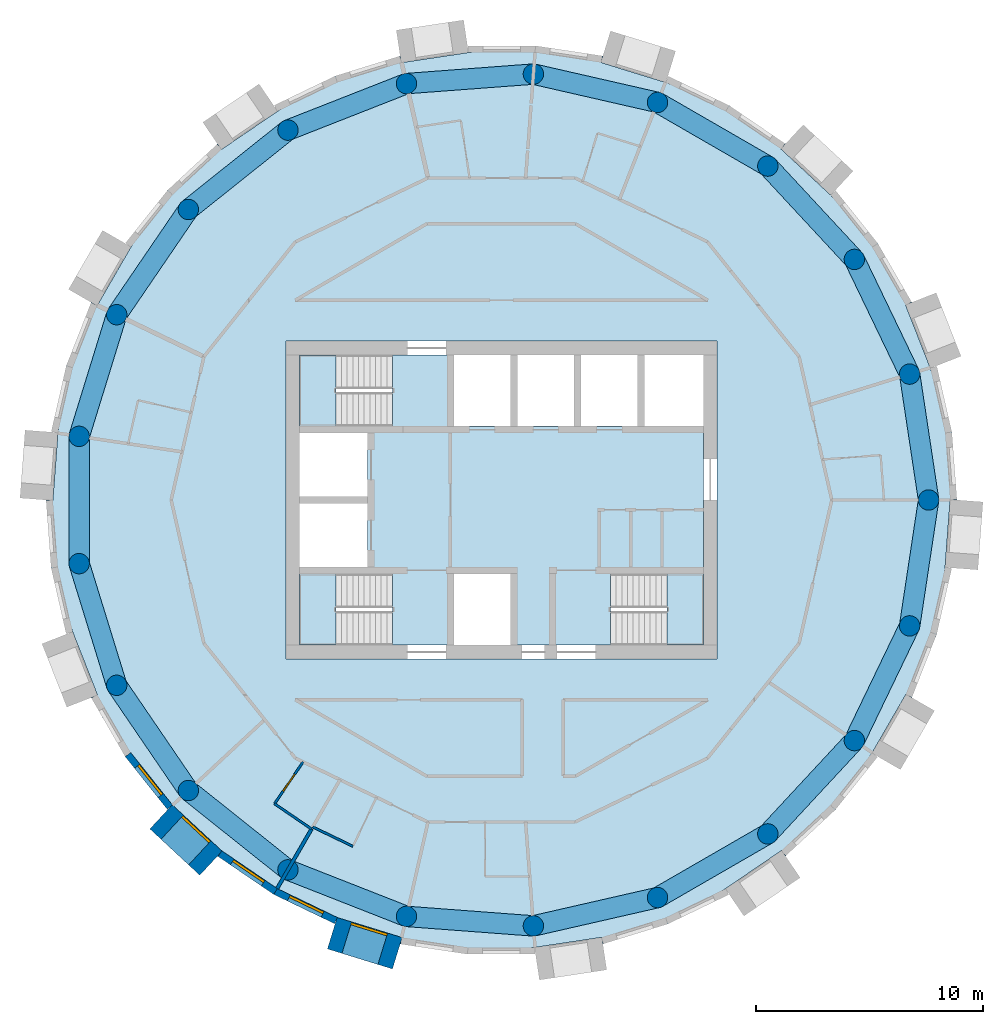
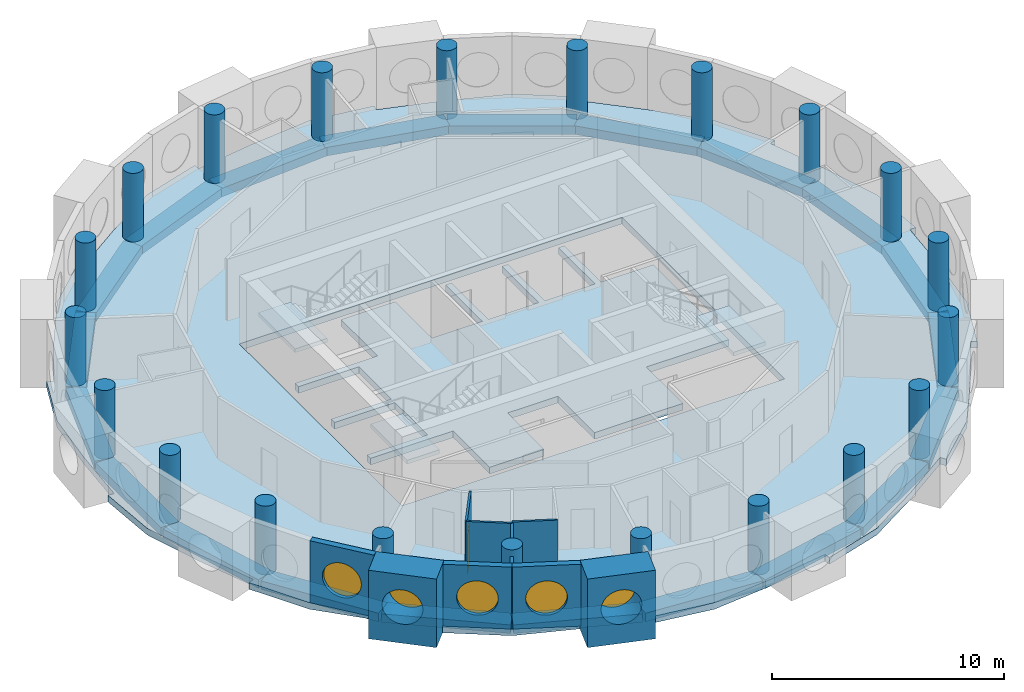
# One storey, part 1 of 13: 21 beams, 21 columns, 9 walls, 5 slabs, 5 windows, 1 door, 6 openings, 3 elements without a shape of their own.
"""IFC4 building model written with IfcOpenShell, lengths in metres."""

from ifc_helpers import new_model, si_unit, direction, frame, frame_2d, origin, origin_2d, place, context, subcontext, project, spatial, polyline, rectangle, circle, outline, extrude, material, layer, layer_set, material_profile, profile_set, type_object, element, fill, aggregate, save


model = new_model("IFC4")

# Units and contexts
model_context = context("Model", 3, precision=1e-05, world=origin(), true_north=direction((0.0, 1.0)))
body_context = subcontext(model_context, "Body", "Model", "MODEL_VIEW")
ifc_project = project(units=[si_unit("LENGTHUNIT", "METRE"), si_unit("AREAUNIT", "SQUARE_METRE"), si_unit("VOLUMEUNIT", "CUBIC_METRE"), si_unit("PLANEANGLEUNIT", "RADIAN"), si_unit("MASSUNIT", "GRAM", prefix="KILO")], contexts=[model_context])

# Site, building, storey
site_placement = place(None, origin())
site = spatial("IfcSite", under=ifc_project, at=site_placement, CompositionType="ELEMENT")
building_placement = place(site_placement, origin())
building = spatial("IfcBuilding", under=site, at=building_placement, Name="Tracery Tower", CompositionType="ELEMENT")
storey_placement = place(building_placement, frame((0.0, 0.0, 298.199951171875)))
storey = spatial("IfcBuildingStorey", under=building, at=storey_placement, Name="L77", CompositionType="ELEMENT", Elevation=298.199951171875)

# Columns
ifc_material_1 = material(Name="Concrete C40/50", Category="concrete")
ifc_material_profile_1 = material_profile(ifc_material_1, circle(Radius=0.449951171875, at=origin_2d()), Name="RC D900")
ifc_profile_set_1 = profile_set([ifc_material_profile_1], Name="Concrete C40/50")
column_type = type_object("IfcColumnType", Name="Ring 2 column 900", PredefinedType="COLUMN", material=ifc_profile_set_1)
for number, where, z_axis, x_axis, name in (
    (1, (18.822265625, 0.0, 0.0), (0.0, 0.0, 1.0), (1.0, 0.0, 0.0), "Ring 2 column 00 at L77"),
    (2, (17.986083984375, 5.5478515625, 0.0), (0.0, 0.0, 1.0), (1.0, 0.0, 0.0), "Ring 2 column 01 at L77"),
    (3, (15.551513671875, 10.602783203125, 0.0), (0.0, 0.0, 1.0), (1.0, 0.0, 0.0), "Ring 2 column 02 at L77"),
    (4, (11.7353515625, 14.7158203125, 0.0), (0.0, 0.0, 1.0), (1.0, 0.0, 0.0), "Ring 2 column 03 at L77"),
    (5, (6.87646484375, 17.52099609375, 0.0), (0.0, 0.0, 1.0), (1.0, 0.0, 0.0), "Ring 2 column 04 at L77"),
    (6, (1.406494140625, 18.76953125, 0.0), (0.0, 0.0, 1.0), (1.0, 0.0, 0.0), "Ring 2 column 05 at L77"),
    (7, (-4.188232421875, 18.350341796875, 0.0), (0.0, 0.0, 1.0), (1.0, 0.0, 0.0), "Ring 2 column 06 at L77"),
    (8, (-9.4111328125, 16.300537109375, 0.0), (0.0, 0.0, 1.0), (1.0, 0.0, 0.0), "Ring 2 column 07 at L77"),
    (9, (-13.797607421875, 12.802490234375, 0.0), (0.0, 0.0, 1.0), (1.0, 0.0, 0.0), "Ring 2 column 08 at L77"),
    (10, (-16.958251953125, 8.16650390625, 0.0), (0.0, 0.0, 1.0), (1.0, 0.0, 0.0), "Ring 2 column 09 at L77"),
    (11, (-18.612060546875, 2.805419921875, 0.0), (0.0, 0.0, 1.0), (1.0, 0.0, 0.0), "Ring 2 column 10 at L77"),
    (12, (-18.612060546875, -2.805419921875, 0.0), (0.0, 0.0, 1.0), (1.0, 0.0, 0.0), "Ring 2 column 11 at L77"),
    (13, (-16.958251953125, -8.166748046875, 0.0), (0.0, 0.0, 1.0), (1.0, 0.0, 0.0), "Ring 2 column 12 at L77"),
    (14, (-13.797607421875, -12.80224609375, 0.0), (0.0, 0.0, 1.0), (1.0, 0.0, 0.0), "Ring 2 column 13 at L77"),
    (15, (-9.4111328125, -16.300537109375, 0.0), (0.0, 0.0, 1.0), (1.0, 0.0, 0.0), "Ring 2 column 14 at L77"),
    (16, (-4.188232421875, -18.350341796875, 0.0), (0.0, 0.0, 1.0), (1.0, 0.0, 0.0), "Ring 2 column 15 at L77"),
    (17, (1.406494140625, -18.76953125, 0.0), (0.0, 0.0, 1.0), (1.0, 0.0, 0.0), "Ring 2 column 16 at L77"),
    (18, (6.87646484375, -17.52099609375, 0.0), (0.0, 0.0, 1.0), (1.0, 0.0, 0.0), "Ring 2 column 17 at L77"),
    (19, (11.7353515625, -14.7158203125, 0.0), (0.0, 0.0, 1.0), (1.0, 0.0, 0.0), "Ring 2 column 18 at L77"),
    (20, (15.551513671875, -10.602783203125, 0.0), (0.0, 0.0, 1.0), (1.0, 0.0, 0.0), "Ring 2 column 19 at L77"),
    (21, (17.986083984375, -5.5478515625, 0.0), (0.0, 0.0, 1.0), (1.0, 0.0, 0.0), "Ring 2 column 20 at L77"),
):
    element("IfcColumn", number, at=place(storey_placement, frame(where, z_axis=z_axis, x_axis=x_axis)), inside=storey, type_object=column_type, Name=name, PredefinedType="COLUMN", context=body_context, shape_type="SweptSolid", body=[
        extrude(circle(Radius=0.449951171875, at=origin_2d()), origin(), (0.0, 0.0, 1.0), 3.60009765625),
    ])

# Beams
ifc_material_2 = material(Name="Concrete C40/50", Category="concrete")
ifc_material_profile_2 = material_profile(ifc_material_2, rectangle(XDim=0.89990234375, YDim=0.449951171875, at=origin_2d()), Name="RC 900x450")
ifc_profile_set_2 = profile_set([ifc_material_profile_2], Name="Concrete C40/50")
beam_type = type_object("IfcBeamType", Name="Perimeter band beam 900x450", PredefinedType="BEAM", material=ifc_profile_set_2)
for number, where, z_axis, x_axis, name in (
    (22, (18.822265625, 0.0, -0.574951171875), (-0.149038355855, 0.988831415603, 0.0), (-0.988831415603, -0.149038355855, 0.0), "Perimeter beam 2.00 under L77"),
    (23, (17.986083984375, 5.5478515625, -0.574951171875), (-0.433918973155, 0.900951899235, 0.0), (-0.900951899235, -0.433918973155, 0.0), "Perimeter beam 2.01 under L77"),
):
    element("IfcBeam", number, at=place(storey_placement, frame(where, z_axis=z_axis, x_axis=x_axis)), inside=storey, type_object=beam_type, Name=name, PredefinedType="BEAM", context=body_context, shape_type="SweptSolid", body=[
        extrude(rectangle(XDim=0.89990234375, YDim=0.449951171875, at=origin_2d()), origin(), (0.0, 0.0, 1.0), 5.610595703125),
    ])
beam_1_placement = place(storey_placement, frame((15.551513671875, 10.602783203125, -0.574951171875), z_axis=(-0.680155630824, 0.733067744386, 0.0), x_axis=(-0.733067744386, -0.680155630824, 0.0)))
element("IfcBeam", 24, at=beam_1_placement, inside=storey, type_object=beam_type, Name="Perimeter beam 2.02 under L77", PredefinedType="BEAM", context=body_context, shape_type="SweptSolid", body=[
    extrude(rectangle(XDim=0.89990234375, YDim=0.449951171875, at=origin_2d()), origin(), (0.0, 0.0, 1.0), 5.61083984375),
])
for number, where, z_axis, x_axis, name in (
    (25, (11.7353515625, 14.7158203125, -0.574951171875), (-0.866033412818, 0.49998612769, 0.0), (-0.49998612769, -0.866033412818, 0.0), "Perimeter beam 2.03 under L77"),
    (26, (6.87646484375, 17.52099609375, -0.574951171875), (-0.974925977366, 0.222529410768, 0.0), (-0.222529410768, -0.974925977366, 0.0), "Perimeter beam 2.04 under L77"),
):
    element("IfcBeam", number, at=place(storey_placement, frame(where, z_axis=z_axis, x_axis=x_axis)), inside=storey, type_object=beam_type, Name=name, PredefinedType="BEAM", context=body_context, shape_type="SweptSolid", body=[
        extrude(rectangle(XDim=0.89990234375, YDim=0.449951171875, at=origin_2d()), origin(), (0.0, 0.0, 1.0), 5.610595703125),
    ])
beam_2_placement = place(storey_placement, frame((1.406494140625, 18.76953125, -0.574951171875), z_axis=(-0.997204824387, -0.07471638521, 0.0), x_axis=(0.07471638521, -0.997204824387, 0.0)))
element("IfcBeam", 27, at=beam_2_placement, inside=storey, type_object=beam_type, Name="Perimeter beam 2.05 under L77", PredefinedType="BEAM", context=body_context, shape_type="SweptSolid", body=[
    extrude(rectangle(XDim=0.89990234375, YDim=0.449951171875, at=origin_2d()), origin(), (0.0, 0.0, 1.0), 5.6103515625),
])
beam_3_placement = place(storey_placement, frame((-4.188232421875, 18.350341796875, -0.574951171875), z_axis=(-0.930875728468, -0.365335979817, 0.0), x_axis=(0.365335979817, -0.930875728468, 0.0)))
element("IfcBeam", 28, at=beam_3_placement, inside=storey, type_object=beam_type, Name="Perimeter beam 2.06 under L77", PredefinedType="BEAM", context=body_context, shape_type="SweptSolid", body=[
    extrude(rectangle(XDim=0.89990234375, YDim=0.449951171875, at=origin_2d()), origin(), (0.0, 0.0, 1.0), 5.61083984375),
])
beam_4_placement = place(storey_placement, frame((-9.4111328125, 16.300537109375, -0.574951171875), z_axis=(-0.781835817725, -0.623484365579, 0.0), x_axis=(0.623484365579, -0.781835817725, 0.0)))
element("IfcBeam", 29, at=beam_4_placement, inside=storey, type_object=beam_type, Name="Perimeter beam 2.07 under L77", PredefinedType="BEAM", context=body_context, shape_type="SweptSolid", body=[
    extrude(rectangle(XDim=0.89990234375, YDim=0.449951171875, at=origin_2d()), origin(), (0.0, 0.0, 1.0), 5.610595703125),
])
beam_5_placement = place(storey_placement, frame((-13.797607421875, 12.802490234375, -0.574951171875), z_axis=(-0.563305770578, -0.826248515178, 0.0), x_axis=(0.826248515178, -0.563305770578, 0.0)))
element("IfcBeam", 30, at=beam_5_placement, inside=storey, type_object=beam_type, Name="Perimeter beam 2.08 under L77", PredefinedType="BEAM", context=body_context, shape_type="SweptSolid", body=[
    extrude(rectangle(XDim=0.89990234375, YDim=0.449951171875, at=origin_2d()), origin(), (0.0, 0.0, 1.0), 5.61083984375),
])
beam_6_placement = place(storey_placement, frame((-16.958251953125, 8.16650390625, -0.574951171875), z_axis=(-0.294776851839, -0.955566118916, 0.0), x_axis=(0.955566118916, -0.294776851839, 0.0)))
element("IfcBeam", 31, at=beam_6_placement, inside=storey, type_object=beam_type, Name="Perimeter beam 2.09 under L77", PredefinedType="BEAM", context=body_context, shape_type="SweptSolid", body=[
    extrude(rectangle(XDim=0.89990234375, YDim=0.449951171875, at=origin_2d()), origin(), (0.0, 0.0, 1.0), 5.6103515625),
])
beam_7_placement = place(storey_placement, frame((-18.612060546875, 2.805419921875, -0.574951171875), z_axis=(0.0, -1.0, 0.0), x_axis=(1.0, 0.0, 0.0)))
element("IfcBeam", 32, at=beam_7_placement, inside=storey, type_object=beam_type, Name="Perimeter beam 2.10 under L77", PredefinedType="BEAM", context=body_context, shape_type="SweptSolid", body=[
    extrude(rectangle(XDim=0.89990234375, YDim=0.449951171875, at=origin_2d()), origin(), (0.0, 0.0, 1.0), 5.61083984375),
])
for number, where, z_axis, x_axis, name in (
    (33, (-18.612060546875, -2.805419921875, -0.574951171875), (0.294764594813, -0.955569899926, 0.0), (0.955569899926, 0.294764594813, 0.0), "Perimeter beam 2.11 under L77"),
    (34, (-16.958251953125, -8.166748046875, -0.574951171875), (0.5633462764, -0.826220898348, 0.0), (0.826220898348, 0.5633462764, 0.0), "Perimeter beam 2.12 under L77"),
    (35, (-13.797607421875, -12.80224609375, -0.574951171875), (0.781814605872, -0.623510963853, 0.0), (0.623510963853, 0.781814605872, 0.0), "Perimeter beam 2.13 under L77"),
):
    element("IfcBeam", number, at=place(storey_placement, frame(where, z_axis=z_axis, x_axis=x_axis)), inside=storey, type_object=beam_type, Name=name, PredefinedType="BEAM", context=body_context, shape_type="SweptSolid", body=[
        extrude(rectangle(XDim=0.89990234375, YDim=0.449951171875, at=origin_2d()), origin(), (0.0, 0.0, 1.0), 5.610595703125),
    ])
beam_8_placement = place(storey_placement, frame((-9.4111328125, -16.300537109375, -0.574951171875), z_axis=(0.930875728468, -0.365335979817, 0.0), x_axis=(0.365335979817, 0.930875728468, 0.0)))
element("IfcBeam", 36, at=beam_8_placement, inside=storey, type_object=beam_type, Name="Perimeter beam 2.14 under L77", PredefinedType="BEAM", context=body_context, shape_type="SweptSolid", body=[
    extrude(rectangle(XDim=0.89990234375, YDim=0.449951171875, at=origin_2d()), origin(), (0.0, 0.0, 1.0), 5.61083984375),
])
beam_9_placement = place(storey_placement, frame((-4.188232421875, -18.350341796875, -0.574951171875), z_axis=(0.997204824387, -0.07471638521, 0.0), x_axis=(0.07471638521, 0.997204824387, 0.0)))
element("IfcBeam", 37, at=beam_9_placement, inside=storey, type_object=beam_type, Name="Perimeter beam 2.15 under L77", PredefinedType="BEAM", context=body_context, shape_type="SweptSolid", body=[
    extrude(rectangle(XDim=0.89990234375, YDim=0.449951171875, at=origin_2d()), origin(), (0.0, 0.0, 1.0), 5.6103515625),
])
for number, where, z_axis, x_axis, name in (
    (38, (1.406494140625, -18.76953125, -0.574951171875), (0.974925977366, 0.222529410768, 0.0), (-0.222529410768, 0.974925977366, 0.0), "Perimeter beam 2.16 under L77"),
    (39, (6.87646484375, -17.52099609375, -0.574951171875), (0.866033412818, 0.49998612769, 0.0), (-0.49998612769, 0.866033412818, 0.0), "Perimeter beam 2.17 under L77"),
):
    element("IfcBeam", number, at=place(storey_placement, frame(where, z_axis=z_axis, x_axis=x_axis)), inside=storey, type_object=beam_type, Name=name, PredefinedType="BEAM", context=body_context, shape_type="SweptSolid", body=[
        extrude(rectangle(XDim=0.89990234375, YDim=0.449951171875, at=origin_2d()), origin(), (0.0, 0.0, 1.0), 5.610595703125),
    ])
beam_10_placement = place(storey_placement, frame((11.7353515625, -14.7158203125, -0.574951171875), z_axis=(0.680155630824, 0.733067744386, 0.0), x_axis=(-0.733067744386, 0.680155630824, 0.0)))
element("IfcBeam", 40, at=beam_10_placement, inside=storey, type_object=beam_type, Name="Perimeter beam 2.18 under L77", PredefinedType="BEAM", context=body_context, shape_type="SweptSolid", body=[
    extrude(rectangle(XDim=0.89990234375, YDim=0.449951171875, at=origin_2d()), origin(), (0.0, 0.0, 1.0), 5.61083984375),
])
for number, where, z_axis, x_axis, name in (
    (41, (15.551513671875, -10.602783203125, -0.574951171875), (0.433918973155, 0.900951899235, 0.0), (-0.900951899235, 0.433918973155, 0.0), "Perimeter beam 2.19 under L77"),
    (42, (17.986083984375, -5.5478515625, -0.574951171875), (0.149038355855, 0.988831415603, 0.0), (-0.988831415603, 0.149038355855, 0.0), "Perimeter beam 2.20 under L77"),
):
    element("IfcBeam", number, at=place(storey_placement, frame(where, z_axis=z_axis, x_axis=x_axis)), inside=storey, type_object=beam_type, Name=name, PredefinedType="BEAM", context=body_context, shape_type="SweptSolid", body=[
        extrude(rectangle(XDim=0.89990234375, YDim=0.449951171875, at=origin_2d()), origin(), (0.0, 0.0, 1.0), 5.610595703125),
    ])

# Slabs
ifc_material_3 = material(Name="Concrete C40/50", Category="concrete")
ifc_layer_1 = layer(ifc_material_3, 0.35009765625)
ifc_layer_set_1 = layer_set([ifc_layer_1], Name="Core floor slab 350 C40")
slab_type_1 = type_object("IfcSlabType", Name="Core floor slab 350 C40", PredefinedType="FLOOR", material=ifc_layer_set_1)
slab_1_placement = place(storey_placement, frame((0.0, 0.0, -0.349853515625)))
element("IfcSlab", 43, at=slab_1_placement, inside=storey, type_object=slab_type_1, Name="L77 core floor 1", PredefinedType="FLOOR", context=body_context, shape_type="SweptSolid", body=[
    extrude(outline(polyline([(-4.800537109375, -3.25), (-8.89990234375, -3.25), (-8.89990234375, -2.949951171875), (-5.89990234375, -2.949951171875), (-5.89990234375, -0.14990234375), (-8.89990234375, -0.14990234375), (-8.89990234375, 0.14990234375), (-5.89990234375, 0.14990234375), (-5.89990234375, 2.949951171875), (-8.89990234375, 2.949951171875), (-8.89990234375, 3.25), (-4.800537109375, 3.25), (-4.800537109375, 6.39990234375), (-2.10009765625, 6.39990234375), (-2.10009765625, 3.25), (0.39990234375, 3.25), (0.39990234375, 6.39990234375), (0.699951171875, 6.39990234375), (0.699951171875, 3.25), (3.199951171875, 3.25), (3.199951171875, 6.39990234375), (3.5, 6.39990234375), (3.5, 3.25), (6.0, 3.25), (6.0, 6.39990234375), (6.300048828125, 6.39990234375), (6.300048828125, 3.25), (8.89990234375, 3.25), (8.89990234375, -3.25), (4.800537109375, -3.25), (4.800537109375, -6.39990234375), (0.39990234375, -6.39990234375), (0.39990234375, -3.25), (-2.10009765625, -3.25), (-2.10009765625, -6.39990234375), (-4.800537109375, -6.39990234375), (-4.800537109375, -3.25)])), origin(), (0.0, 0.0, 1.0), 0.349853515625),
])
ifc_material_4 = material(Name="Concrete C40/50", Category="concrete")
ifc_layer_2 = layer(ifc_material_4, 0.35009765625)
ifc_layer_set_2 = layer_set([ifc_layer_2], Name="Floor slab 350")
slab_type_2 = type_object("IfcSlabType", Name="Floor slab 350", PredefinedType="FLOOR", material=ifc_layer_set_2)
slab_2_placement = place(storey_placement, frame((0.0, 0.0, -0.349853515625)))
element("IfcSlab", 44, at=slab_2_placement, inside=storey, type_object=slab_type_2, Name="Floor slab L77", PredefinedType="FLOOR", context=body_context, shape_type="SweptSolid", body=[
    extrude(outline(polyline([(18.89306640625, 5.827392578125), (17.80517578125, 8.599365234375), (18.084228515625, 8.708984375), (18.08447265625, 8.708984375), (16.58447265625, 11.30712890625), (14.493408203125, 13.447998046875), (12.3271484375, 15.4580078125), (12.3271484375, 15.4580078125), (12.310791015625, 15.47314453125), (12.5146484375, 15.69287109375), (12.514892578125, 15.693115234375), (10.0361328125, 17.383056640625), (7.223388671875, 18.404541015625), (4.3994140625, 19.275634765625), (4.3994140625, 19.275634765625), (4.378173828125, 19.2822265625), (4.466552734375, 19.56884765625), (1.5, 20.01611328125), (-1.47705078125, 19.716064453125), (-2.3466796875, 19.585205078125), (-4.3994140625, 19.275634765625), (-4.3994140625, 19.275634765625), (-4.421875, 19.272216796875), (-4.46630859375, 19.568603515625), (-4.466552734375, 19.56884765625), (-7.333251953125, 18.684814453125), (-9.885498046875, 17.12255859375), (-12.345703125, 15.4453125), (-12.514892578125, 15.693115234375), (-14.714111328125, 13.652587890625), (-16.335693359375, 11.13818359375), (-17.82470703125, 8.55908203125), (-18.08447265625, 8.708984375), (-19.180419921875, 5.91650390625), (-19.550537109375, 2.94677734375), (-19.63720703125, 1.789306640625), (-19.77294921875, -0.0224609375), (-20.072265625, 0.0), (-20.072265625, 0.0), (-19.847900390625, -2.99169921875), (-18.89306640625, -5.827392578125), (-17.80517578125, -8.599365234375), (-18.084228515625, -8.708984375), (-18.08447265625, -8.708984375), (-16.58447265625, -11.30712890625), (-14.493408203125, -13.447998046875), (-12.3271484375, -15.4580078125), (-12.3271484375, -15.4580078125), (-12.310791015625, -15.47314453125), (-12.5146484375, -15.69287109375), (-12.514892578125, -15.693115234375), (-10.0361328125, -17.383056640625), (-7.223388671875, -18.404541015625), (-4.3994140625, -19.275634765625), (-4.3994140625, -19.275634765625), (-4.378173828125, -19.2822265625), (-4.466552734375, -19.56884765625), (-1.5, -20.01611328125), (1.47705078125, -19.716064453125), (2.3466796875, -19.585205078125), (4.3994140625, -19.275634765625), (4.3994140625, -19.275634765625), (4.421875, -19.272216796875), (4.46630859375, -19.568603515625), (4.466552734375, -19.56884765625), (7.333251953125, -18.684814453125), (9.885498046875, -17.12255859375), (12.345703125, -15.4453125), (12.514892578125, -15.693115234375), (14.714111328125, -13.652587890625), (16.335693359375, -11.13818359375), (17.82470703125, -8.55908203125), (18.08447265625, -8.708984375), (19.180419921875, -5.91650390625), (19.550537109375, -2.94677734375), (19.63720703125, -1.789306640625), (19.77294921875, 0.0224609375), (20.072265625, 0.0), (19.847900390625, 2.99169921875), (18.89306640625, 5.827392578125)]), holes=[polyline([(-9.5, -7.0), (9.5, -7.0), (9.5, 7.0), (-9.5, 7.0), (-9.5, -7.0)])]), origin(), (0.0, 0.0, 1.0), 0.349853515625),
])

# Stair, slab
ifc_material_5 = material(Name="Concrete C32/40", Category="concrete")
stair_type = type_object("IfcStairType", Name="Core stair 22 risers", PredefinedType="HALF_TURN_STAIR", material=ifc_material_5)
stair_1_placement = place(storey_placement, origin())
stair_1 = element("IfcStair", 45, at=stair_1_placement, inside=storey, type_object=stair_type, Name="L77 stair ST1", PredefinedType="HALF_TURN_STAIR")
ifc_material_6 = material(Name="Concrete C32/40", Category="concrete")
ifc_layer_3 = layer(ifc_material_6, 0.199951171875)
ifc_layer_set_3 = layer_set([ifc_layer_3], Name="Stair landing slab 200")
slab_type_3 = type_object("IfcSlabType", Name="Stair landing slab 200", PredefinedType="LANDING", material=ifc_layer_set_3)
slab_3_placement = place(storey_placement, frame((0.0, 0.0, 1.60009765625)))
slab_3 = element("IfcSlab", 46, at=slab_3_placement, type_object=slab_type_3, Name="ST1 landing 1", PredefinedType="LANDING", context=body_context, shape_type="SweptSolid", body=[
    extrude(outline(polyline([(-7.29931640625, -3.25), (-8.89990234375, -3.25), (-8.89990234375, -6.39990234375), (-7.29931640625, -6.39990234375), (-7.29931640625, -3.25)])), origin(), (0.0, 0.0, 1.0), 0.199951171875),
])
aggregate(stair_1, [slab_3])

stair_2_placement = place(storey_placement, origin())
stair_2 = element("IfcStair", 47, at=stair_2_placement, inside=storey, type_object=stair_type, Name="L77 stair ST3", PredefinedType="HALF_TURN_STAIR")
slab_4_placement = place(storey_placement, frame((0.0, 0.0, 1.60009765625)))
slab_4 = element("IfcSlab", 48, at=slab_4_placement, type_object=slab_type_3, Name="ST3 landing 1", PredefinedType="LANDING", context=body_context, shape_type="SweptSolid", body=[
    extrude(outline(polyline([(-7.29931640625, 6.39990234375), (-8.89990234375, 6.39990234375), (-8.89990234375, 3.25), (-7.29931640625, 3.25), (-7.29931640625, 6.39990234375)])), origin(), (0.0, 0.0, 1.0), 0.199951171875),
])
aggregate(stair_2, [slab_4])

stair_3_placement = place(storey_placement, origin())
stair_3 = element("IfcStair", 49, at=stair_3_placement, inside=storey, type_object=stair_type, Name="L77 stair ST2", PredefinedType="HALF_TURN_STAIR")
slab_5_placement = place(storey_placement, frame((0.0, 0.0, 1.60009765625)))
slab_5 = element("IfcSlab", 50, at=slab_5_placement, type_object=slab_type_3, Name="ST2 landing 1", PredefinedType="LANDING", context=body_context, shape_type="SweptSolid", body=[
    extrude(outline(polyline([(7.29931640625, -6.39990234375), (8.89990234375, -6.39990234375), (8.89990234375, -3.25), (7.29931640625, -3.25), (7.29931640625, -6.39990234375)])), origin(), (0.0, 0.0, 1.0), 0.199951171875),
])
aggregate(stair_3, [slab_5])

# Wall, opening, window
ifc_material_7 = material(Name="Precast concrete C50/60", Category="concrete")
ifc_layer_4 = layer(ifc_material_7, 1.449951171875)
ifc_layer_set_4 = layer_set([ifc_layer_4], Name="Deep-set bay unit 3000 x 3600, slab edge 350")
wall_type_1 = type_object("IfcWallType", Name="Deep-set bay unit 3000 x 3600, slab edge 350", PredefinedType="ELEMENTEDWALL", material=ifc_layer_set_4)
wall_1_placement = place(storey_placement, frame((-15.0029296875, -13.964111328125, -0.349853515625), z_axis=(0.0, 0.0, 1.0), x_axis=(0.733022439167, -0.680204457261, 0.0)))
wall_1 = element("IfcWall", 51, at=wall_1_placement, inside=storey, type_object=wall_type_1, Name="Deep-set bay unit 27 at L77", PredefinedType="ELEMENTEDWALL", context=body_context, shape_type="SweptSolid", body=[
    extrude(rectangle(XDim=2.999755859375, YDim=1.449951171875, at=frame_2d((1.5, 0.0))), origin(), (0.0, 0.0, 1.0), 3.599853515625),
])
opening_1_placement = place(wall_1_placement, frame((1.5, 0.0, 1.89990234375)))
opening_1 = element("IfcOpeningElement", 52, at=opening_1_placement, cuts=wall_1, Name="Opening WN1", PredefinedType="OPENING", context=body_context, shape_type="SweptSolid", body=[
    extrude(circle(Radius=0.9000244140625, at=origin_2d()), frame((0.0, 0.73486328125, 0.0), z_axis=(0.0, -1.0, 0.0), x_axis=(1.0, 0.0, 0.0)), (0.0, 0.0, 1.0), 1.469970703125),
])
ifc_material_8 = material(Name="Aluminium frame with tinted double glazing", Category="aluminium")
window_type = type_object("IfcWindowType", Name="Round window 1800", PartitioningType="SINGLE_PANEL", PredefinedType="WINDOW", material=ifc_material_8)
window_1_placement = place(opening_1_placement, origin())
window_1 = element("IfcWindow", 53, at=window_1_placement, inside=storey, type_object=window_type, Name="Round window 27 at L77", OverallHeight=1.800048828125, OverallWidth=1.800048828125, PartitioningType="SINGLE_PANEL", PredefinedType="WINDOW", context=body_context, shape_type="SweptSolid", body=[
    extrude(circle(Radius=0.9000244140625, at=origin_2d()), frame((0.0, 0.69482421875, 0.0), z_axis=(0.0, -1.0, 0.0), x_axis=(1.0, 0.0, 0.0)), (0.0, 0.0, 1.0), 0.10009765625),
])
fill(opening_1, window_1)

wall_2_placement = place(storey_placement, frame((-7.45849609375, -19.0908203125, -0.349853515625), z_axis=(0.0, 0.0, 1.0), x_axis=(0.955571139978, -0.294760574774, 0.0)))
wall_2 = element("IfcWall", 54, at=wall_2_placement, inside=storey, type_object=wall_type_1, Name="Deep-set bay unit 30 at L77", PredefinedType="ELEMENTEDWALL", context=body_context, shape_type="SweptSolid", body=[
    extrude(rectangle(XDim=3.0, YDim=1.449951171875, at=frame_2d((1.5, 0.0))), origin(), (0.0, 0.0, 1.0), 3.599853515625),
])
opening_2_placement = place(wall_2_placement, frame((1.5, 0.0, 1.89990234375)))
opening_2 = element("IfcOpeningElement", 55, at=opening_2_placement, cuts=wall_2, Name="Opening WN1", PredefinedType="OPENING", context=body_context, shape_type="SweptSolid", body=[
    extrude(circle(Radius=0.9000244140625, at=origin_2d()), frame((0.0, 0.73486328125, 0.0), z_axis=(0.0, -1.0, 0.0), x_axis=(1.0, 0.0, 0.0)), (0.0, 0.0, 1.0), 1.469970703125),
])
window_2_placement = place(opening_2_placement, origin())
window_2 = element("IfcWindow", 56, at=window_2_placement, inside=storey, type_object=window_type, Name="Round window 30 at L77", OverallHeight=1.800048828125, OverallWidth=1.800048828125, PartitioningType="SINGLE_PANEL", PredefinedType="WINDOW", context=body_context, shape_type="SweptSolid", body=[
    extrude(circle(Radius=0.9000244140625, at=origin_2d()), frame((0.0, 0.69482421875, 0.0), z_axis=(0.0, -1.0, 0.0), x_axis=(1.0, 0.0, 0.0)), (0.0, 0.0, 1.0), 0.10009765625),
])
fill(opening_2, window_2)

ifc_material_9 = material(Name="Precast concrete C50/60", Category="concrete")
ifc_layer_5 = layer(ifc_material_9, 0.300048828125)
ifc_layer_set_5 = layer_set([ifc_layer_5], Name="Facade panel 3000 x 3250")
wall_type_2 = type_object("IfcWallType", Name="Facade panel 3000 x 3250", PredefinedType="SOLIDWALL", material=ifc_layer_set_5)
wall_3_placement = place(storey_placement, frame((-16.460205078125, -11.222412109375, 0.0), z_axis=(0.0, 0.0, 1.0), x_axis=(0.623498236992, -0.781824755599, 0.0)))
wall_3 = element("IfcWall", 57, at=wall_3_placement, inside=storey, type_object=wall_type_2, Name="Facade panel 26 at L77", PredefinedType="SOLIDWALL", context=body_context, shape_type="SweptSolid", body=[
    extrude(rectangle(XDim=2.962158203125, YDim=0.300048828125, at=frame_2d((1.48095703125, 0.0))), origin(), (0.0, 0.0, 1.0), 3.25),
])
opening_3_placement = place(wall_3_placement, frame((1.48095703125, 0.0, 1.5498046875)))
opening_3 = element("IfcOpeningElement", 58, at=opening_3_placement, cuts=wall_3, Name="Opening WN1", PredefinedType="OPENING", context=body_context, shape_type="SweptSolid", body=[
    extrude(circle(Radius=0.9000244140625, at=origin_2d()), frame((0.0, 0.159912109375, 0.0), z_axis=(0.0, -1.0, 0.0), x_axis=(1.0, 0.0, 0.0)), (0.0, 0.0, 1.0), 0.320068359375),
])
window_3_placement = place(opening_3_placement, origin())
window_3 = element("IfcWindow", 59, at=window_3_placement, inside=storey, type_object=window_type, Name="Round window 26 at L77", OverallHeight=1.800048828125, OverallWidth=1.800048828125, PartitioningType="SINGLE_PANEL", PredefinedType="WINDOW", context=body_context, shape_type="SweptSolid", body=[
    extrude(circle(Radius=0.9000244140625, at=origin_2d()), frame((0.0, 0.1201171875, 0.0), z_axis=(0.0, -1.0, 0.0), x_axis=(1.0, 0.0, 0.0)), (0.0, 0.0, 1.0), 0.10009765625),
])
fill(opening_3, window_3)

wall_4_placement = place(storey_placement, frame((-12.408447265625, -15.583984375, 0.0), z_axis=(0.0, 0.0, 1.0), x_axis=(0.826236061068, -0.563324037646, 0.0)))
wall_4 = element("IfcWall", 60, at=wall_4_placement, inside=storey, type_object=wall_type_2, Name="Facade panel 28 at L77", PredefinedType="SOLIDWALL", context=body_context, shape_type="SweptSolid", body=[
    extrude(rectangle(XDim=2.962158203125, YDim=0.300048828125, at=frame_2d((1.48095703125, 0.0))), origin(), (0.0, 0.0, 1.0), 3.25),
])
opening_4_placement = place(wall_4_placement, frame((1.48095703125, 0.0, 1.5498046875)))
opening_4 = element("IfcOpeningElement", 61, at=opening_4_placement, cuts=wall_4, Name="Opening WN1", PredefinedType="OPENING", context=body_context, shape_type="SweptSolid", body=[
    extrude(circle(Radius=0.9000244140625, at=origin_2d()), frame((0.0, 0.159912109375, 0.0), z_axis=(0.0, -1.0, 0.0), x_axis=(1.0, 0.0, 0.0)), (0.0, 0.0, 1.0), 0.320068359375),
])
window_4_placement = place(opening_4_placement, origin())
window_4 = element("IfcWindow", 62, at=window_4_placement, inside=storey, type_object=window_type, Name="Round window 28 at L77", OverallHeight=1.800048828125, OverallWidth=1.800048828125, PartitioningType="SINGLE_PANEL", PredefinedType="WINDOW", context=body_context, shape_type="SweptSolid", body=[
    extrude(circle(Radius=0.9000244140625, at=origin_2d()), frame((0.0, 0.1201171875, 0.0), z_axis=(0.0, -1.0, 0.0), x_axis=(1.0, 0.0, 0.0)), (0.0, 0.0, 1.0), 0.10009765625),
])
fill(opening_4, window_4)

wall_5_placement = place(storey_placement, frame((-9.9609375, -17.252685546875, 0.0), z_axis=(0.0, 0.0, 1.0), x_axis=(0.90095513435, -0.433912255978, 0.0)))
wall_5 = element("IfcWall", 63, at=wall_5_placement, inside=storey, type_object=wall_type_2, Name="Facade panel 29 at L77", PredefinedType="SOLIDWALL", context=body_context, shape_type="SweptSolid", body=[
    extrude(rectangle(XDim=2.96240234375, YDim=0.300048828125, at=frame_2d((1.481201171875, 0.0))), origin(), (0.0, 0.0, 1.0), 3.25),
])
opening_5_placement = place(wall_5_placement, frame((1.48095703125, 0.0, 1.5498046875)))
opening_5 = element("IfcOpeningElement", 64, at=opening_5_placement, cuts=wall_5, Name="Opening WN1", PredefinedType="OPENING", context=body_context, shape_type="SweptSolid", body=[
    extrude(circle(Radius=0.9000244140625, at=origin_2d()), frame((0.0, 0.159912109375, 0.0), z_axis=(0.0, -1.0, 0.0), x_axis=(1.0, 0.0, 0.0)), (0.0, 0.0, 1.0), 0.320068359375),
])
window_5_placement = place(opening_5_placement, origin())
window_5 = element("IfcWindow", 65, at=window_5_placement, inside=storey, type_object=window_type, Name="Round window 29 at L77", OverallHeight=1.800048828125, OverallWidth=1.800048828125, PartitioningType="SINGLE_PANEL", PredefinedType="WINDOW", context=body_context, shape_type="SweptSolid", body=[
    extrude(circle(Radius=0.9000244140625, at=origin_2d()), frame((0.0, 0.1201171875, 0.0), z_axis=(0.0, -1.0, 0.0), x_axis=(1.0, 0.0, 0.0)), (0.0, 0.0, 1.0), 0.10009765625),
])
fill(opening_5, window_5)

# Wall, opening, door
ifc_material_10 = material(Name="Plasterboard on steel studs", Category="steel")
ifc_layer_6 = layer(ifc_material_10, 0.10009765625)
ifc_layer_set_6 = layer_set([ifc_layer_6], Name="Partition 100 wet wall")
wall_type_3 = type_object("IfcWallType", Name="Partition 100 wet wall", PredefinedType="PARTITIONING", material=ifc_layer_set_6)
wall_6_placement = place(storey_placement, frame((-10.001953125, -13.386962890625, 0.0), z_axis=(0.0, 0.0, 1.0), x_axis=(0.563469042551, 0.826137178734, 0.0)))
wall_6 = element("IfcWall", 66, at=wall_6_placement, inside=storey, type_object=wall_type_3, Name="Wet wall RC7-061", PredefinedType="PARTITIONING", context=body_context, shape_type="SweptSolid", body=[
    extrude(rectangle(XDim=2.234375, YDim=0.10009765625, at=frame_2d((1.1171875, 0.0))), origin(), (0.0, 0.0, 1.0), 3.25),
])
opening_6_placement = place(wall_6_placement, frame((0.66748046875, 0.0, 0.0)))
opening_6 = element("IfcOpeningElement", 67, at=opening_6_placement, cuts=wall_6, Name="Opening RC7-15", PredefinedType="OPENING", context=body_context, shape_type="SweptSolid", body=[
    extrude(rectangle(XDim=0.89990234375, YDim=2.0400390625, at=frame_2d((0.449951171875, 1.02001953125))), frame((0.0, 0.050048828125, 0.0), z_axis=(0.0, -1.0, 0.0), x_axis=(1.0, 0.0, 0.0)), (0.0, 0.0, 1.0), 0.10009765625),
])
ifc_material_11 = material(Name="Timber door leaf", Category="wood")
door_type = type_object("IfcDoorType", Name="Door en-suite 900", OperationType="NOTDEFINED", PredefinedType="DOOR", material=ifc_material_11)
door_placement = place(opening_6_placement, origin())
door = element("IfcDoor", 68, at=door_placement, inside=storey, type_object=door_type, Name="En-suite door RC7-15", OperationType="SINGLE_SWING_LEFT", OverallHeight=2.0400390625, OverallWidth=0.89990234375, PredefinedType="DOOR", context=body_context, shape_type="SweptSolid", body=[
    extrude(rectangle(XDim=0.89990234375, YDim=2.0400390625, at=frame_2d((0.449951171875, 1.02001953125))), frame((0.0, 0.02490234375, 0.0), z_axis=(0.0, -1.0, 0.0), x_axis=(1.0, 0.0, 0.0)), (0.0, 0.0, 1.0), 0.050048828125),
])
fill(opening_6, door)

# Walls
wall_7_placement = place(storey_placement, frame((-10.001953125, -13.386962890625, 0.0), z_axis=(0.0, 0.0, 1.0), x_axis=(0.82620117489, -0.563375202339, 0.0)))
element("IfcWall", 69, at=wall_7_placement, inside=storey, type_object=wall_type_3, Name="Wet wall RC7-062", PredefinedType="PARTITIONING", context=body_context, shape_type="SweptSolid", body=[
    extrude(rectangle(XDim=1.973876953125, YDim=0.10009765625, at=frame_2d((0.98681640625, 0.0))), origin(), (0.0, 0.0, 1.0), 3.25),
])
wall_8_placement = place(storey_placement, frame((-8.319091796875, -14.408935546875, 0.0), z_axis=(0.0, 0.0, 1.0), x_axis=(0.900936932599, -0.433950047216, 0.0)))
element("IfcWall", 70, at=wall_8_placement, inside=storey, type_object=wall_type_3, Name="Wet wall RC7-065", PredefinedType="PARTITIONING", context=body_context, shape_type="SweptSolid", body=[
    extrude(rectangle(XDim=1.9658203125, YDim=0.10009765625, at=frame_2d((0.98291015625, 0.0))), origin(), (0.0, 0.0, 1.0), 3.25),
])
ifc_material_12 = material(Name="Plasterboard on steel studs", Category="steel")
ifc_layer_7 = layer(ifc_material_12, 0.14990234375)
ifc_layer_set_7 = layer_set([ifc_layer_7], Name="Partition 150 acoustic unit wall")
wall_type_4 = type_object("IfcWallType", Name="Partition 150 acoustic unit wall", PredefinedType="PARTITIONING", material=ifc_layer_set_7)
wall_9_placement = place(storey_placement, frame((-9.885986328125, -17.1220703125, 0.0), z_axis=(0.0, 0.0, 1.0), x_axis=(0.500117793536, 0.865957384972, 0.0)))
element("IfcWall", 71, at=wall_9_placement, inside=storey, type_object=wall_type_4, Name="Unit wall RC7-063", PredefinedType="PARTITIONING", context=body_context, shape_type="SweptSolid", body=[
    extrude(rectangle(XDim=3.029052734375, YDim=0.14990234375, at=frame_2d((1.5146484375, 0.0))), origin(), (0.0, 0.0, 1.0), 3.25),
])

save(model, "model.ifc")
